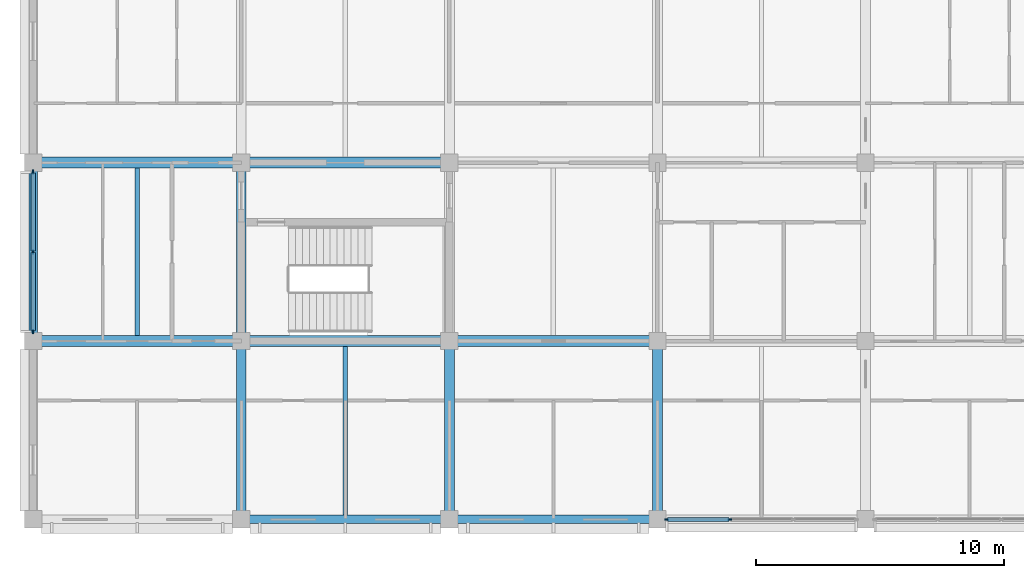
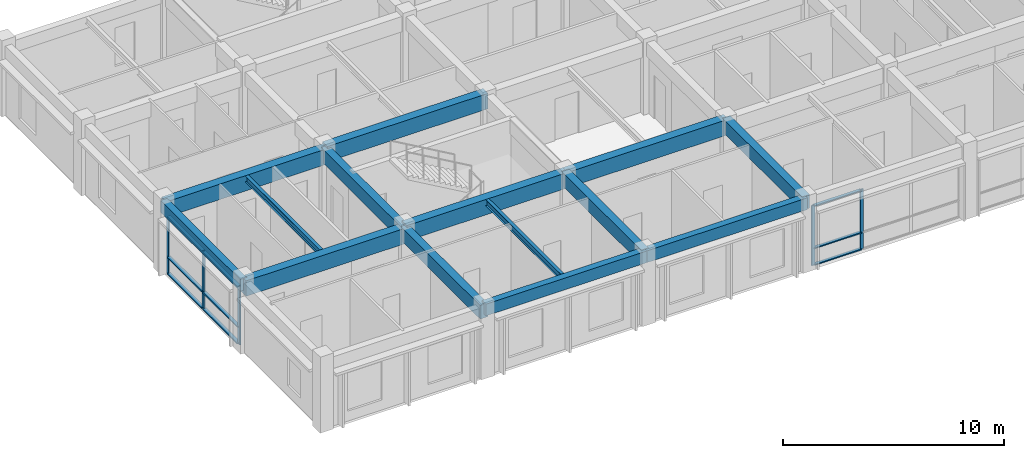
# One storey, part 2 of 19: 14 beams, 14 members, 2 elements without a shape of their own.
"""IFC4 building model written with IfcOpenShell, lengths in metres."""

import ifcopenshell
import ifcopenshell.guid

model = None  # the IFC model being written
_history = None  # IfcOwnerHistory: only IFC2X3 demands one
_inside = {}  # id of a spatial element -> (the spatial element, [elements in it])
_under = {}  # id of a project, library or spatial element -> (it, [spatial elements below it])
_declared = {}  # id of a project -> (the project, [libraries it declares])
_typed = {}  # id of a type object -> (the type object, [elements of that type])
_made_of = {}  # id of a material, layer set ... -> (it, [elements and type objects made of it])


def new_model(schema):
    """Start an empty IFC model of exactly this schema.

    Asked for "IFC4X3", IfcOpenShell would pick the latest addendum, in which some entities
    have other attributes; the version numbers below select the first issue.
    IFC2X3 requires an IfcOwnerHistory on every rooted entity: one is made here for all.
    """
    global model, _history
    if schema == "IFC4X3":
        model = ifcopenshell.file(schema_version=(4, 3, 0, 0))
    else:
        model = ifcopenshell.file(schema=schema)
    _inside.clear()
    _under.clear()
    _declared.clear()
    _typed.clear()
    _made_of.clear()
    _history = None
    if model.schema == "IFC2X3":
        org = make("IfcOrganization", Name="unknown")
        user = make(
            "IfcPersonAndOrganization",
            ThePerson=make("IfcPerson", FamilyName="unknown"),
            TheOrganization=org,
        )
        app = make(
            "IfcApplication",
            ApplicationDeveloper=org,
            Version="unknown",
            ApplicationFullName="unknown",
            ApplicationIdentifier="unknown",
        )
        _history = make(
            "IfcOwnerHistory",
            OwningUser=user,
            OwningApplication=app,
            ChangeAction="ADDED",
            CreationDate=0,
        )
    return model


def make(cls, **values):
    """One entity of the class cls with the attributes given. An attribute that is None is left unset."""
    return model.create_entity(
        cls, **{name: value for name, value in values.items() if value is not None}
    )


def rooted(cls, **values):
    """An entity with a GlobalId (a new one), such as an element, a storey or a relation."""
    return make(cls, GlobalId=ifcopenshell.guid.new(), OwnerHistory=_history, **values)


def si_unit(unit_type, name, prefix=None):
    """IfcSIUnit, for example si_unit("LENGTHUNIT", "METRE", prefix="MILLI")."""
    return make("IfcSIUnit", UnitType=unit_type, Prefix=prefix, Name=name)


def assignment(units):
    """IfcUnitAssignment: the units of a project."""
    return None if units is None else make("IfcUnitAssignment", Units=units)


def point(xyz):
    """IfcCartesianPoint."""
    return None if xyz is None else make("IfcCartesianPoint", Coordinates=xyz)


def direction(xyz):
    """IfcDirection."""
    return None if xyz is None else make("IfcDirection", DirectionRatios=xyz)


def frame(location, z_axis=None, x_axis=None):
    """IfcAxis2Placement3D, a coordinate frame: its origin and axes. An axis left out is left unset."""
    return make(
        "IfcAxis2Placement3D",
        Location=point(location),
        Axis=direction(z_axis),
        RefDirection=direction(x_axis),
    )


def frame_2d(location, x_axis=None):
    """IfcAxis2Placement2D, a coordinate frame in the plane: its origin and x axis."""
    return make(
        "IfcAxis2Placement2D", Location=point(location), RefDirection=direction(x_axis)
    )


def origin():
    """The frame at (0, 0, 0) with its axes left unset."""
    return frame((0.0, 0.0, 0.0))


def origin_2d():
    """The frame at (0, 0) in the plane with its x axis left unset."""
    return frame_2d((0.0, 0.0))


def place(relative_to, where):
    """IfcLocalPlacement: puts the frame where relative to a parent placement (None: the world)."""
    return make(
        "IfcLocalPlacement", PlacementRelTo=relative_to, RelativePlacement=where
    )


def context(
    kind, dimensions, precision=None, world=None, true_north=None, identifier=None
):
    """IfcGeometricRepresentationContext, for example the 3D "Model" context."""
    return make(
        "IfcGeometricRepresentationContext",
        ContextIdentifier=identifier,
        ContextType=kind,
        CoordinateSpaceDimension=dimensions,
        Precision=precision,
        WorldCoordinateSystem=world,
        TrueNorth=true_north,
    )


def subcontext(parent, identifier, kind, view, scale=None):
    """IfcGeometricRepresentationSubContext, for example "Body" below "Model"."""
    return make(
        "IfcGeometricRepresentationSubContext",
        ContextIdentifier=identifier,
        ContextType=kind,
        ParentContext=parent,
        TargetScale=scale,
        TargetView=view,
    )


def project(units=None, contexts=None):
    """IfcProject with its units and contexts."""
    return rooted(
        "IfcProject",
        Name="project",
        RepresentationContexts=contexts,
        UnitsInContext=assignment(units),
    )


def spatial(cls, under=None, at=None, **own):
    """A site, building, storey or space (cls), placed at a placement, below another one or the project."""
    s = rooted(cls, ObjectPlacement=at, **own)
    if under is not None:
        _under.setdefault(under.id(), (under, []))[1].append(s)
    return s


def profile(cls, at=None, kind="AREA", **sizes):
    """A parametric profile (cls). Its sizes go by their IFC names, for example OverallWidth=200.0."""
    return make(cls, ProfileType=kind, Position=at, **sizes)


def rectangle(**sizes):
    """IfcRectangleProfileDef."""
    return profile("IfcRectangleProfileDef", **sizes)


def i_section(**sizes):
    """IfcIShapeProfileDef."""
    return profile("IfcIShapeProfileDef", **sizes)


def extrude(swept, where, along, depth):
    """IfcExtrudedAreaSolid: the profile swept, set in the frame where, extruded along a direction by depth."""
    return make(
        "IfcExtrudedAreaSolid",
        SweptArea=swept,
        Position=where,
        ExtrudedDirection=direction(along),
        Depth=depth,
    )


def shape(context_of_items, identifier, shape_type, items):
    """IfcShapeRepresentation: the items that make up one representation, for example the "Body"."""
    return make(
        "IfcShapeRepresentation",
        ContextOfItems=context_of_items,
        RepresentationIdentifier=identifier,
        RepresentationType=shape_type,
        Items=items,
    )


def material(Name=None, Category=None):
    """IfcMaterial."""
    return make("IfcMaterial", Name=Name, Category=Category)


def layer(
    of_material, thickness, ventilated=None, Name=None, Category=None, Priority=None
):
    """IfcMaterialLayer: one layer of a wall or slab, of a material (None: an air gap)."""
    return make(
        "IfcMaterialLayer",
        Material=of_material,
        LayerThickness=thickness,
        IsVentilated=ventilated,
        Name=Name,
        Category=Category,
        Priority=Priority,
    )


def layer_set(layers, Name=None):
    """IfcMaterialLayerSet."""
    return make("IfcMaterialLayerSet", MaterialLayers=layers, LayerSetName=Name)


def material_profile(
    of_material, cross_section, Name=None, Category=None, Priority=None
):
    """IfcMaterialProfile: a cross section and its material."""
    return make(
        "IfcMaterialProfile",
        Name=Name,
        Material=of_material,
        Profile=cross_section,
        Priority=Priority,
        Category=Category,
    )


def profile_set(profiles, Name=None, composite=None):
    """IfcMaterialProfileSet."""
    return make(
        "IfcMaterialProfileSet",
        Name=Name,
        MaterialProfiles=profiles,
        CompositeProfile=composite,
    )


def made_of(thing, what):
    """Note that an element or type object is made of a material, layer set ...; save() writes the relation."""
    if what is not None:
        _made_of.setdefault(what.id(), (what, []))[1].append(thing)
    return thing


def type_object(cls, material=None, **own):
    """A type object (cls), such as IfcWallType, which elements share."""
    return made_of(rooted(cls, **own), material)


def element(
    cls,
    number,
    at=None,
    inside=None,
    cuts=None,
    type_object=None,
    material=None,
    context=None,
    identifier="Body",
    shape_type=None,
    held_by="IfcProductDefinitionShape",
    body=None,
    shapes=None,
    **own,
):
    """One element of the class cls, such as IfcWall. Its Tag is "e" and its number.

    at: its placement. inside: the storey or other place that contains it. cuts: it is an
    opening in that element (IfcRelVoidsElement). A single representation is given by context,
    identifier, shape_type and body (its items); several are given by shapes. held_by: the class
    of the entity that holds the representations. save() writes the other relations.
    """
    e = rooted(cls, Tag="e%d" % number, ObjectPlacement=at, **own)
    if body is not None:
        shapes = [shape(context, identifier, shape_type, body)]
    if shapes is not None:
        e.Representation = make(held_by, Representations=shapes)
    if inside is not None:
        _inside.setdefault(inside.id(), (inside, []))[1].append(e)
    if cuts is not None:
        rooted(
            "IfcRelVoidsElement", RelatingBuildingElement=cuts, RelatedOpeningElement=e
        )
    if type_object is not None:
        _typed.setdefault(type_object.id(), (type_object, []))[1].append(e)
    return made_of(e, material)


def aggregate(whole, parts):
    """IfcRelAggregates: a whole, such as a stair, and the parts it consists of."""
    return rooted("IfcRelAggregates", RelatingObject=whole, RelatedObjects=parts)


def save(model, path):
    """Write the relations noted so far, then the file.

    IfcRelAggregates (storeys below a building ...), IfcRelContainedInSpatialStructure (elements
    in a storey), IfcRelDefinesByType, IfcRelAssociatesMaterial and IfcRelDeclares: one each for
    every whole, place, type object, material and project.
    """
    for whole, parts in _under.values():
        aggregate(whole, parts)
    for where, things in _inside.values():
        rooted(
            "IfcRelContainedInSpatialStructure",
            RelatedElements=things,
            RelatingStructure=where,
        )
    for kind, things in _typed.values():
        rooted("IfcRelDefinesByType", RelatedObjects=things, RelatingType=kind)
    for what, things in _made_of.values():
        rooted("IfcRelAssociatesMaterial", RelatedObjects=things, RelatingMaterial=what)
    for by, libraries in _declared.values():
        rooted("IfcRelDeclares", RelatingContext=by, RelatedDefinitions=libraries)
    model.write(path)


model = new_model("IFC4")

# Units and contexts
model_context = context("Model", 3, precision=1e-05, world=origin(), true_north=direction((0.0, 1.0)))
body_context = subcontext(model_context, "Body", "Model", "MODEL_VIEW")
ifc_project = project(units=[si_unit("LENGTHUNIT", "METRE"), si_unit("AREAUNIT", "SQUARE_METRE"), si_unit("VOLUMEUNIT", "CUBIC_METRE"), si_unit("PLANEANGLEUNIT", "RADIAN"), si_unit("MASSUNIT", "GRAM", prefix="KILO")], contexts=[model_context])

# Site, building, storey
site_placement = place(None, origin())
site = spatial("IfcSite", under=ifc_project, at=site_placement, CompositionType="ELEMENT")
building_placement = place(site_placement, origin())
building = spatial("IfcBuilding", under=site, at=building_placement, Name="Chengyuan Square Courthouse", CompositionType="ELEMENT")
storey_placement = place(building_placement, frame((0.0, 0.0, 56.10009765625)))
storey = spatial("IfcBuildingStorey", under=building, at=storey_placement, Name="L13", CompositionType="ELEMENT", Elevation=56.10009765625)

# Beams
ifc_material_1 = material(Name="Concrete C40", Category="concrete")
ifc_material_profile_1 = material_profile(ifc_material_1, rectangle(XDim=0.449951171875, YDim=0.85009765625, at=origin_2d()), Name="RC-BM-450x850")
ifc_profile_set_1 = profile_set([ifc_material_profile_1], Name="Concrete C40")
beam_type_1 = type_object("IfcBeamType", Name="BM-01", PredefinedType="USERDEFINED", material=ifc_profile_set_1)
beam_1_placement = place(storey_placement, frame((50.39990234375, 86.39990234375, 3.4248046875), z_axis=(1.0, 0.0, 0.0), x_axis=(0.0, 1.0, 0.0)))
element("IfcBeam", 1, at=beam_1_placement, inside=storey, type_object=beam_type_1, Name="Girder BM-L13-4343", ObjectType="GIRDER", PredefinedType="USERDEFINED", context=body_context, shape_type="SweptSolid", body=[
    extrude(rectangle(XDim=0.449951171875, YDim=0.85009765625, at=origin_2d()), origin(), (0.0, 0.0, 1.0), 8.400146484375),
])
beam_2_placement = place(storey_placement, frame((58.800048828125, 86.39990234375, 3.534912109375), z_axis=(1.0, 0.0, 0.0), x_axis=(0.0, 1.0, 0.0)))
element("IfcBeam", 2, at=beam_2_placement, inside=storey, type_object=beam_type_1, Name="Girder BM-L13-4344", ObjectType="GIRDER", PredefinedType="USERDEFINED", context=body_context, shape_type="SweptSolid", body=[
    extrude(rectangle(XDim=0.449951171875, YDim=0.85009765625, at=origin_2d()), origin(), (0.0, 0.0, 1.0), 8.39990234375),
])
for number, where, z_axis, x_axis, name in (
    (3, (67.199951171875, 86.39990234375, 3.534912109375), (1.0, 0.0, 0.0), (0.0, 1.0, 0.0), "Girder BM-L13-4345"),
    (4, (50.39990234375, 93.60009765625, 3.4248046875), (1.0, 0.0, 0.0), (0.0, 1.0, 0.0), "Girder BM-L13-4351"),
):
    element("IfcBeam", number, at=place(storey_placement, frame(where, z_axis=z_axis, x_axis=x_axis)), inside=storey, type_object=beam_type_1, Name=name, ObjectType="GIRDER", PredefinedType="USERDEFINED", context=body_context, shape_type="SweptSolid", body=[
        extrude(rectangle(XDim=0.449951171875, YDim=0.85009765625, at=origin_2d()), origin(), (0.0, 0.0, 1.0), 8.400146484375),
    ])
beam_3_placement = place(storey_placement, frame((58.800048828125, 93.60009765625, 3.534912109375), z_axis=(1.0, 0.0, 0.0), x_axis=(0.0, 1.0, 0.0)))
element("IfcBeam", 5, at=beam_3_placement, inside=storey, type_object=beam_type_1, Name="Girder BM-L13-4352", ObjectType="GIRDER", PredefinedType="USERDEFINED", context=body_context, shape_type="SweptSolid", body=[
    extrude(rectangle(XDim=0.449951171875, YDim=0.85009765625, at=origin_2d()), origin(), (0.0, 0.0, 1.0), 8.39990234375),
])
ifc_material_profile_2 = material_profile(ifc_material_1, rectangle(XDim=0.39990234375, YDim=0.75, at=origin_2d()), Name="RC-BM-400x750")
ifc_profile_set_2 = profile_set([ifc_material_profile_2], Name="Concrete C40")
beam_type_2 = type_object("IfcBeamType", Name="BM-02", PredefinedType="USERDEFINED", material=ifc_profile_set_2)
beam_4_placement = place(storey_placement, frame((58.800048828125, 79.199951171875, 3.474853515625), z_axis=(0.0, 1.0, 0.0), x_axis=(-1.0, 0.0, 0.0)))
element("IfcBeam", 6, at=beam_4_placement, inside=storey, type_object=beam_type_2, Name="Girder BM-L13-4379", ObjectType="GIRDER", PredefinedType="USERDEFINED", context=body_context, shape_type="SweptSolid", body=[
    extrude(rectangle(XDim=0.39990234375, YDim=0.75, at=origin_2d()), origin(), (0.0, 0.0, 1.0), 7.199951171875),
])
beam_5_placement = place(storey_placement, frame((58.800048828125, 86.39990234375, 3.474853515625), z_axis=(0.0, 1.0, 0.0), x_axis=(-1.0, 0.0, 0.0)))
element("IfcBeam", 7, at=beam_5_placement, inside=storey, type_object=beam_type_2, Name="Girder BM-L13-4380", ObjectType="GIRDER", PredefinedType="USERDEFINED", context=body_context, shape_type="SweptSolid", body=[
    extrude(rectangle(XDim=0.39990234375, YDim=0.75, at=origin_2d()), origin(), (0.0, 0.0, 1.0), 7.2001953125),
])
for number, where, z_axis, x_axis, name in (
    (8, (67.199951171875, 79.199951171875, 3.5849609375), (0.0, 1.0, 0.0), (-1.0, 0.0, 0.0), "Girder BM-L13-4383"),
    (9, (75.60009765625, 79.199951171875, 3.5849609375), (0.0, 1.0, 0.0), (-1.0, 0.0, 0.0), "Girder BM-L13-4387"),
):
    element("IfcBeam", number, at=place(storey_placement, frame(where, z_axis=z_axis, x_axis=x_axis)), inside=storey, type_object=beam_type_2, Name=name, ObjectType="GIRDER", PredefinedType="USERDEFINED", context=body_context, shape_type="SweptSolid", body=[
        extrude(rectangle(XDim=0.39990234375, YDim=0.75, at=origin_2d()), origin(), (0.0, 0.0, 1.0), 7.199951171875),
    ])
ifc_material_profile_3 = material_profile(ifc_material_1, rectangle(XDim=0.35009765625, YDim=0.64990234375, at=origin_2d()), Name="RC-BM-350x650")
ifc_profile_set_3 = profile_set([ifc_material_profile_3], Name="Concrete C40")
beam_type_3 = type_object("IfcBeamType", Name="BM-03", PredefinedType="SPANDREL", material=ifc_profile_set_3)
beam_6_placement = place(storey_placement, frame((58.800048828125, 79.199951171875, 3.635009765625), z_axis=(1.0, 0.0, 0.0), x_axis=(0.0, 1.0, 0.0)))
element("IfcBeam", 10, at=beam_6_placement, inside=storey, type_object=beam_type_3, Name="Girder BM-L13-4336", PredefinedType="SPANDREL", context=body_context, shape_type="SweptSolid", body=[
    extrude(rectangle(XDim=0.35009765625, YDim=0.64990234375, at=origin_2d()), origin(), (0.0, 0.0, 1.0), 8.39990234375),
])
beam_7_placement = place(storey_placement, frame((67.199951171875, 79.199951171875, 3.635009765625), z_axis=(1.0, 0.0, 0.0), x_axis=(0.0, 1.0, 0.0)))
element("IfcBeam", 11, at=beam_7_placement, inside=storey, type_object=beam_type_3, Name="Girder BM-L13-4337", PredefinedType="SPANDREL", context=body_context, shape_type="SweptSolid", body=[
    extrude(rectangle(XDim=0.35009765625, YDim=0.64990234375, at=origin_2d()), origin(), (0.0, 0.0, 1.0), 8.400146484375),
])
beam_8_placement = place(storey_placement, frame((50.39990234375, 86.39990234375, 3.52490234375), z_axis=(0.0, 1.0, 0.0), x_axis=(-1.0, 0.0, 0.0)))
element("IfcBeam", 12, at=beam_8_placement, inside=storey, type_object=beam_type_3, Name="Girder BM-L13-4376", PredefinedType="SPANDREL", context=body_context, shape_type="SweptSolid", body=[
    extrude(rectangle(XDim=0.35009765625, YDim=0.64990234375, at=origin_2d()), origin(), (0.0, 0.0, 1.0), 7.2001953125),
])
ifc_material_2 = material(Name="Steel Q355B", Category="steel")
ifc_material_profile_4 = material_profile(ifc_material_2, i_section(OverallWidth=0.175048828125, OverallDepth=0.35009765625, WebThickness=0.007080078125, FlangeThickness=0.010986328125, at=origin_2d()), Name="HN 350x175x7x11")
ifc_profile_set_4 = profile_set([ifc_material_profile_4], Name="Steel Q355B")
beam_type_4 = type_object("IfcBeamType", Name="BM-08", PredefinedType="BEAM", material=ifc_profile_set_4)
beam_9_placement = place(storey_placement, frame((54.60009765625, 86.625, 3.6748046875), z_axis=(0.0, 1.0, 0.0), x_axis=(-1.0, 0.0, 0.0)))
element("IfcBeam", 13, at=beam_9_placement, inside=storey, type_object=beam_type_4, Name="Secondary Floor Beam SBM-L13-4411", PredefinedType="BEAM", context=body_context, shape_type="SweptSolid", body=[
    extrude(i_section(OverallWidth=0.175048828125, OverallDepth=0.35009765625, WebThickness=0.007080078125, FlangeThickness=0.010986328125, at=origin_2d()), origin(), (0.0, 0.0, 1.0), 6.75),
])
beam_10_placement = place(storey_placement, frame((63.0, 79.375, 3.784912109375), z_axis=(0.0, 1.0, 0.0), x_axis=(-1.0, 0.0, 0.0)))
element("IfcBeam", 14, at=beam_10_placement, inside=storey, type_object=beam_type_4, Name="Secondary Floor Beam SBM-L13-4413", PredefinedType="BEAM", context=body_context, shape_type="SweptSolid", body=[
    extrude(i_section(OverallWidth=0.175048828125, OverallDepth=0.35009765625, WebThickness=0.007080078125, FlangeThickness=0.010986328125, at=origin_2d()), origin(), (0.0, 0.0, 1.0), 6.800048828125),
])

# Curtain wall, members
ifc_material_3 = material(Name="Unitised Aluminium and Triple Low-E Glass", Category="aluminium")
ifc_layer_1 = layer(ifc_material_3, 0.159912109375)
ifc_layer_set_1 = layer_set([ifc_layer_1], Name="Unitised Aluminium and Triple Low-E Glass")
curtain_wall_type_1 = type_object("IfcCurtainWallType", Name="CW-13", PredefinedType="USERDEFINED", material=ifc_layer_set_1)
curtain_wall_1_placement = place(storey_placement, origin())
curtain_wall_1 = element("IfcCurtainWall", 15, at=curtain_wall_1_placement, inside=storey, type_object=curtain_wall_type_1, Name="Unitised Curtain Wall CW-L13-267", ObjectType="UNITISED CURTAIN WALL", PredefinedType="USERDEFINED")
ifc_material_4 = material(Name="Aluminium 6063-T6 Frame", Category="aluminium")
ifc_material_profile_5 = material_profile(ifc_material_4, rectangle(XDim=0.06005859375, YDim=0.159912109375, at=origin_2d()), Name="CW-MUL-60x160")
ifc_profile_set_5 = profile_set([ifc_material_profile_5], Name="Aluminium 6063-T6 Frame")
member_type_1 = type_object("IfcMemberType", Name="CWM-01", PredefinedType="MULLION", material=ifc_profile_set_5)
member_1_placement = place(storey_placement, frame((75.97998046875, 79.199951171875, 0.0), z_axis=(0.0, 0.0, 1.0), x_axis=(0.0, 1.0, 0.0)))
member_1 = element("IfcMember", 16, at=member_1_placement, type_object=member_type_1, Name="CW-13 mullion 1", PredefinedType="MULLION", context=body_context, shape_type="SweptSolid", body=[
    extrude(rectangle(XDim=0.06005859375, YDim=0.159912109375, at=origin_2d()), origin(), (0.0, 0.0, 1.0), 3.309814453125),
])
member_2_placement = place(storey_placement, frame((78.5166015625, 79.199951171875, 0.0), z_axis=(0.0, 0.0, 1.0), x_axis=(0.0, 1.0, 0.0)))
member_2 = element("IfcMember", 17, at=member_2_placement, type_object=member_type_1, Name="CW-13 mullion 2", PredefinedType="MULLION", context=body_context, shape_type="SweptSolid", body=[
    extrude(rectangle(XDim=0.06005859375, YDim=0.159912109375, at=origin_2d()), origin(), (0.0, 0.0, 1.0), 3.309814453125),
])

ifc_layer_2 = layer(ifc_material_3, 0.179931640625)
ifc_layer_set_2 = layer_set([ifc_layer_2], Name="Unitised Aluminium and Triple Low-E Glass")
curtain_wall_type_2 = type_object("IfcCurtainWallType", Name="CW-02", PredefinedType="USERDEFINED", material=ifc_layer_set_2)
curtain_wall_2_placement = place(storey_placement, origin())
curtain_wall_2 = element("IfcCurtainWall", 18, at=curtain_wall_2_placement, inside=storey, type_object=curtain_wall_type_2, Name="Unitised Curtain Wall CW-L13-266", ObjectType="UNITISED CURTAIN WALL", PredefinedType="USERDEFINED")
ifc_material_profile_6 = material_profile(ifc_material_4, rectangle(XDim=0.06494140625, YDim=0.179931640625, at=origin_2d()), Name="CW-MUL-65x180")
ifc_profile_set_6 = profile_set([ifc_material_profile_6], Name="Aluminium 6063-T6 Frame")
member_type_2 = type_object("IfcMemberType", Name="CWM-02", PredefinedType="MULLION", material=ifc_profile_set_6)
member_3_placement = place(storey_placement, frame((50.39990234375, 86.782470703125, 0.0), z_axis=(0.0, 0.0, 1.0), x_axis=(-1.0, 0.0, 0.0)))
member_3 = element("IfcMember", 19, at=member_3_placement, type_object=member_type_2, Name="CW-02 mullion 1", PredefinedType="MULLION", context=body_context, shape_type="SweptSolid", body=[
    extrude(rectangle(XDim=0.06494140625, YDim=0.179931640625, at=origin_2d()), origin(), (0.0, 0.0, 1.0), 3.199951171875),
])
member_4_placement = place(storey_placement, frame((50.39990234375, 90.0, 0.0), z_axis=(0.0, 0.0, 1.0), x_axis=(-1.0, 0.0, 0.0)))
member_4 = element("IfcMember", 20, at=member_4_placement, type_object=member_type_2, Name="CW-02 mullion 2", PredefinedType="MULLION", context=body_context, shape_type="SweptSolid", body=[
    extrude(rectangle(XDim=0.06494140625, YDim=0.179931640625, at=origin_2d()), origin(), (0.0, 0.0, 1.0), 3.199951171875),
])
member_5_placement = place(storey_placement, frame((50.39990234375, 93.217529296875, 0.0), z_axis=(0.0, 0.0, 1.0), x_axis=(-1.0, 0.0, 0.0)))
member_5 = element("IfcMember", 21, at=member_5_placement, type_object=member_type_2, Name="CW-02 mullion 3", PredefinedType="MULLION", context=body_context, shape_type="SweptSolid", body=[
    extrude(rectangle(XDim=0.06494140625, YDim=0.179931640625, at=origin_2d()), origin(), (0.0, 0.0, 1.0), 3.199951171875),
])

# Member
ifc_material_profile_7 = material_profile(ifc_material_4, rectangle(XDim=0.159912109375, YDim=0.06005859375, at=origin_2d()), Name="CW-TRN-60x120")
ifc_profile_set_7 = profile_set([ifc_material_profile_7], Name="Aluminium 6063-T6 Frame")
member_type_3 = type_object("IfcMemberType", Name="CWT-01", PredefinedType="USERDEFINED", material=ifc_profile_set_7)
member_6_placement = place(storey_placement, frame((76.010009765625, 79.199951171875, 0.02978515625), z_axis=(1.0, 0.0, 0.0), x_axis=(0.0, 1.0, 0.0)))
member_6 = element("IfcMember", 22, at=member_6_placement, type_object=member_type_3, Name="CW-13 transom 1.1", ObjectType="TRANSOM", PredefinedType="USERDEFINED", context=body_context, shape_type="SweptSolid", body=[
    extrude(rectangle(XDim=0.159912109375, YDim=0.06005859375, at=origin_2d()), origin(), (0.0, 0.0, 1.0), 2.4765625),
])

member_7_placement = place(storey_placement, frame((76.010009765625, 79.199951171875, 0.949951171875), z_axis=(1.0, 0.0, 0.0), x_axis=(0.0, 1.0, 0.0)))
member_7 = element("IfcMember", 23, at=member_7_placement, type_object=member_type_3, Name="CW-13 transom 1.2", ObjectType="TRANSOM", PredefinedType="USERDEFINED", context=body_context, shape_type="SweptSolid", body=[
    extrude(rectangle(XDim=0.159912109375, YDim=0.06005859375, at=origin_2d()), origin(), (0.0, 0.0, 1.0), 2.4765625),
])

member_8_placement = place(storey_placement, frame((76.010009765625, 79.199951171875, 3.27978515625), z_axis=(1.0, 0.0, 0.0), x_axis=(0.0, 1.0, 0.0)))
member_8 = element("IfcMember", 24, at=member_8_placement, type_object=member_type_3, Name="CW-13 transom 1.3", ObjectType="TRANSOM", PredefinedType="USERDEFINED", context=body_context, shape_type="SweptSolid", body=[
    extrude(rectangle(XDim=0.159912109375, YDim=0.06005859375, at=origin_2d()), origin(), (0.0, 0.0, 1.0), 2.4765625),
])

aggregate(curtain_wall_1, [member_1, member_2, member_6, member_7, member_8])

ifc_material_profile_8 = material_profile(ifc_material_4, rectangle(XDim=0.179931640625, YDim=0.06494140625, at=origin_2d()), Name="CW-TRN-65x140")
ifc_profile_set_8 = profile_set([ifc_material_profile_8], Name="Aluminium 6063-T6 Frame")
member_type_4 = type_object("IfcMemberType", Name="CWT-02", PredefinedType="USERDEFINED", material=ifc_profile_set_8)
member_9_placement = place(storey_placement, frame((50.39990234375, 86.81494140625, 0.032470703125), z_axis=(0.0, 1.0, 0.0), x_axis=(-1.0, 0.0, 0.0)))
member_9 = element("IfcMember", 25, at=member_9_placement, type_object=member_type_4, Name="CW-02 transom 1.1", ObjectType="TRANSOM", PredefinedType="USERDEFINED", context=body_context, shape_type="SweptSolid", body=[
    extrude(rectangle(XDim=0.179931640625, YDim=0.06494140625, at=origin_2d()), origin(), (0.0, 0.0, 1.0), 3.152587890625),
])

member_10_placement = place(storey_placement, frame((50.39990234375, 86.81494140625, 0.949951171875), z_axis=(0.0, 1.0, 0.0), x_axis=(-1.0, 0.0, 0.0)))
member_10 = element("IfcMember", 26, at=member_10_placement, type_object=member_type_4, Name="CW-02 transom 1.2", ObjectType="TRANSOM", PredefinedType="USERDEFINED", context=body_context, shape_type="SweptSolid", body=[
    extrude(rectangle(XDim=0.179931640625, YDim=0.06494140625, at=origin_2d()), origin(), (0.0, 0.0, 1.0), 3.152587890625),
])

member_11_placement = place(storey_placement, frame((50.39990234375, 86.81494140625, 3.16748046875), z_axis=(0.0, 1.0, 0.0), x_axis=(-1.0, 0.0, 0.0)))
member_11 = element("IfcMember", 27, at=member_11_placement, type_object=member_type_4, Name="CW-02 transom 1.3", ObjectType="TRANSOM", PredefinedType="USERDEFINED", context=body_context, shape_type="SweptSolid", body=[
    extrude(rectangle(XDim=0.179931640625, YDim=0.06494140625, at=origin_2d()), origin(), (0.0, 0.0, 1.0), 3.152587890625),
])

member_12_placement = place(storey_placement, frame((50.39990234375, 90.032470703125, 0.032470703125), z_axis=(0.0, 1.0, 0.0), x_axis=(-1.0, 0.0, 0.0)))
member_12 = element("IfcMember", 28, at=member_12_placement, type_object=member_type_4, Name="CW-02 transom 2.1", ObjectType="TRANSOM", PredefinedType="USERDEFINED", context=body_context, shape_type="SweptSolid", body=[
    extrude(rectangle(XDim=0.179931640625, YDim=0.06494140625, at=origin_2d()), origin(), (0.0, 0.0, 1.0), 3.152587890625),
])

member_13_placement = place(storey_placement, frame((50.39990234375, 90.032470703125, 0.949951171875), z_axis=(0.0, 1.0, 0.0), x_axis=(-1.0, 0.0, 0.0)))
member_13 = element("IfcMember", 29, at=member_13_placement, type_object=member_type_4, Name="CW-02 transom 2.2", ObjectType="TRANSOM", PredefinedType="USERDEFINED", context=body_context, shape_type="SweptSolid", body=[
    extrude(rectangle(XDim=0.179931640625, YDim=0.06494140625, at=origin_2d()), origin(), (0.0, 0.0, 1.0), 3.152587890625),
])

member_14_placement = place(storey_placement, frame((50.39990234375, 90.032470703125, 3.16748046875), z_axis=(0.0, 1.0, 0.0), x_axis=(-1.0, 0.0, 0.0)))
member_14 = element("IfcMember", 30, at=member_14_placement, type_object=member_type_4, Name="CW-02 transom 2.3", ObjectType="TRANSOM", PredefinedType="USERDEFINED", context=body_context, shape_type="SweptSolid", body=[
    extrude(rectangle(XDim=0.179931640625, YDim=0.06494140625, at=origin_2d()), origin(), (0.0, 0.0, 1.0), 3.152587890625),
])

aggregate(curtain_wall_2, [member_3, member_4, member_5, member_9, member_10, member_11, member_12, member_13, member_14])

save(model, "model.ifc")
